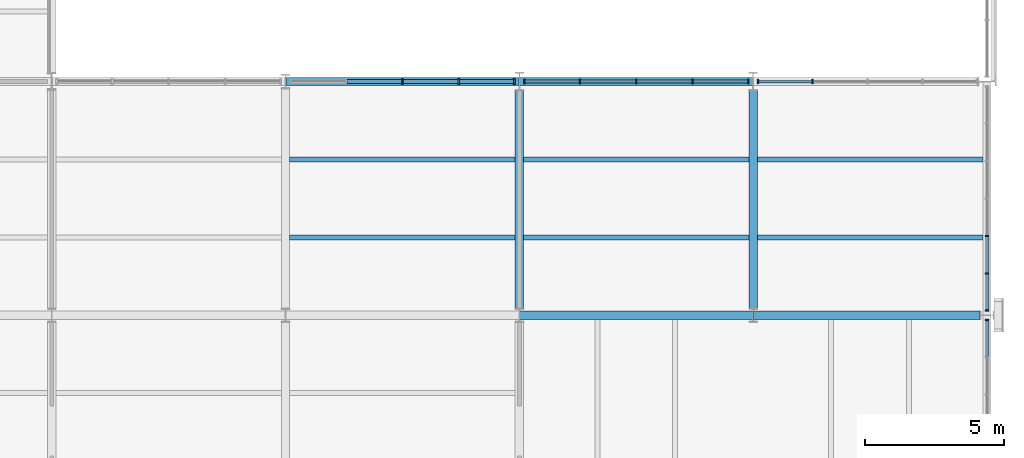
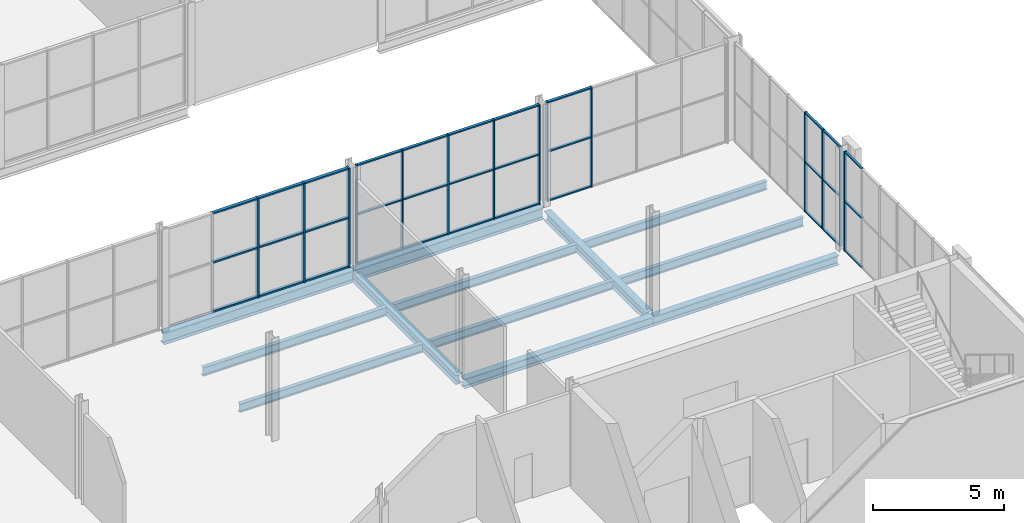
# One storey, part 23 of 61: 47 members, 12 beams, 5 elements without a shape of their own.
"""IFC4 building model written with IfcOpenShell, lengths in metres."""

from ifc_helpers import new_model, si_unit, direction, frame, origin, origin_2d, place, context, subcontext, project, spatial, rectangle, i_section, extrude, material, layer, layer_set, material_profile, profile_set, type_object, element, aggregate, save


model = new_model("IFC4")

# Units and contexts
model_context = context("Model", 3, precision=1e-05, world=origin(), true_north=direction((0.0, 1.0)))
body_context = subcontext(model_context, "Body", "Model", "MODEL_VIEW")
ifc_project = project(units=[si_unit("LENGTHUNIT", "METRE"), si_unit("AREAUNIT", "SQUARE_METRE"), si_unit("VOLUMEUNIT", "CUBIC_METRE"), si_unit("PLANEANGLEUNIT", "RADIAN"), si_unit("MASSUNIT", "GRAM", prefix="KILO")], contexts=[model_context])

# Site, building, storey
site_placement = place(None, origin())
site = spatial("IfcSite", under=ifc_project, at=site_placement, CompositionType="ELEMENT")
building_placement = place(site_placement, origin())
building = spatial("IfcBuilding", under=site, at=building_placement, Name="Galleria Vessillo Department Store", CompositionType="ELEMENT")
storey_placement = place(building_placement, frame((0.0, 0.0, 11.39990234375)))
storey = spatial("IfcBuildingStorey", under=building, at=storey_placement, Name="L02", CompositionType="ELEMENT", Elevation=11.39990234375)

# Curtain wall, member
ifc_material_1 = material(Name="Aluminium and glass curtain wall", Category="aluminium")
ifc_layer_1 = layer(ifc_material_1, 0.1201171875)
ifc_layer_set_1 = layer_set([ifc_layer_1], Name="Aluminium and glass curtain wall")
curtain_wall_type_1 = type_object("IfcCurtainWallType", Name="Shopfront curtain wall CW3 1400 module", PredefinedType="NOTDEFINED", material=ifc_layer_set_1)
curtain_wall_1_placement = place(storey_placement, origin())
curtain_wall_1 = element("IfcCurtainWall", 1, at=curtain_wall_1_placement, inside=storey, type_object=curtain_wall_type_1, Name="Shopfront curtain wall CW3 1400 module SE-S-L02-01", PredefinedType="NOTDEFINED")
ifc_material_2 = material(Name="Aluminium alloy 6063 T6", Category="aluminium")
ifc_material_profile_1 = material_profile(ifc_material_2, rectangle(XDim=0.1201171875, YDim=0.050048828125, at=origin_2d()), Name="AL 50x120")
ifc_profile_set_1 = profile_set([ifc_material_profile_1], Name="Aluminium alloy 6063 T6")
member_type_1 = type_object("IfcMemberType", Name="Aluminium mullion 50 x 120", PredefinedType="MULLION", material=ifc_profile_set_1)
member_1_placement = place(storey_placement, frame((117.60009765625, 16.625244140625, 0.0), z_axis=(0.0, 0.0, 1.0), x_axis=(-1.0, 0.0, 0.0)))
member_1 = element("IfcMember", 2, at=member_1_placement, type_object=member_type_1, Name="CW3 mullion 7", PredefinedType="MULLION", context=body_context, shape_type="SweptSolid", body=[
    extrude(rectangle(XDim=0.1201171875, YDim=0.050048828125, at=origin_2d()), origin(), (0.0, 0.0, 1.0), 4.650146484375),
])

# Curtain wall, members
curtain_wall_2_placement = place(storey_placement, origin())
curtain_wall_2 = element("IfcCurtainWall", 3, at=curtain_wall_2_placement, inside=storey, type_object=curtain_wall_type_1, Name="Shopfront curtain wall CW3 1400 module SE-S-L02-02", PredefinedType="NOTDEFINED")
member_2_placement = place(storey_placement, frame((117.60009765625, 16.974853515625, 0.0), z_axis=(0.0, 0.0, 1.0), x_axis=(-1.0, 0.0, 0.0)))
member_2 = element("IfcMember", 4, at=member_2_placement, type_object=member_type_1, Name="CW3 mullion 1", PredefinedType="MULLION", context=body_context, shape_type="SweptSolid", body=[
    extrude(rectangle(XDim=0.1201171875, YDim=0.050048828125, at=origin_2d()), origin(), (0.0, 0.0, 1.0), 4.650146484375),
])
member_3_placement = place(storey_placement, frame((117.60009765625, 18.299560546875, 0.0), z_axis=(0.0, 0.0, 1.0), x_axis=(-1.0, 0.0, 0.0)))
member_3 = element("IfcMember", 5, at=member_3_placement, type_object=member_type_1, Name="CW3 mullion 2", PredefinedType="MULLION", context=body_context, shape_type="SweptSolid", body=[
    extrude(rectangle(XDim=0.1201171875, YDim=0.050048828125, at=origin_2d()), origin(), (0.0, 0.0, 1.0), 4.650146484375),
])
member_4_placement = place(storey_placement, frame((117.60009765625, 19.649169921875, 0.0), z_axis=(0.0, 0.0, 1.0), x_axis=(-1.0, 0.0, 0.0)))
member_4 = element("IfcMember", 6, at=member_4_placement, type_object=member_type_1, Name="CW3 mullion 3", PredefinedType="MULLION", context=body_context, shape_type="SweptSolid", body=[
    extrude(rectangle(XDim=0.1201171875, YDim=0.050048828125, at=origin_2d()), origin(), (0.0, 0.0, 1.0), 4.650146484375),
])

ifc_material_3 = material(Name="Aluminium and glass curtain wall", Category="aluminium")
ifc_layer_2 = layer(ifc_material_3, 0.159912109375)
ifc_layer_set_2 = layer_set([ifc_layer_2], Name="Aluminium and glass curtain wall")
curtain_wall_type_2 = type_object("IfcCurtainWallType", Name="Arcade portal glazing CW2 2100 module", PredefinedType="NOTDEFINED", material=ifc_layer_set_2)
curtain_wall_3_placement = place(storey_placement, origin())
curtain_wall_3 = element("IfcCurtainWall", 7, at=curtain_wall_3_placement, inside=storey, type_object=curtain_wall_type_2, Name="Arcade portal glazing CW2 2100 module PW-E-S-L02-01", PredefinedType="NOTDEFINED")
ifc_material_4 = material(Name="Aluminium alloy 6063 T6", Category="aluminium")
ifc_material_profile_2 = material_profile(ifc_material_4, rectangle(XDim=0.159912109375, YDim=0.050048828125, at=origin_2d()), Name="AL 50x160")
ifc_profile_set_2 = profile_set([ifc_material_profile_2], Name="Aluminium alloy 6063 T6")
member_type_2 = type_object("IfcMemberType", Name="Aluminium mullion 50 x 160", PredefinedType="MULLION", material=ifc_profile_set_2)
member_5_placement = place(storey_placement, frame((100.9775390625, 25.199951171875, 0.0), z_axis=(0.0, 0.0, 1.0), x_axis=(0.0, 1.0, 0.0)))
member_5 = element("IfcMember", 8, at=member_5_placement, type_object=member_type_2, Name="CW2 mullion 1", PredefinedType="MULLION", context=body_context, shape_type="SweptSolid", body=[
    extrude(rectangle(XDim=0.159912109375, YDim=0.050048828125, at=origin_2d()), origin(), (0.0, 0.0, 1.0), 4.650146484375),
])
member_6_placement = place(storey_placement, frame((102.976318359375, 25.199951171875, 0.0), z_axis=(0.0, 0.0, 1.0), x_axis=(0.0, 1.0, 0.0)))
member_6 = element("IfcMember", 9, at=member_6_placement, type_object=member_type_2, Name="CW2 mullion 2", PredefinedType="MULLION", context=body_context, shape_type="SweptSolid", body=[
    extrude(rectangle(XDim=0.159912109375, YDim=0.050048828125, at=origin_2d()), origin(), (0.0, 0.0, 1.0), 4.650146484375),
])
member_7_placement = place(storey_placement, frame((105.0, 25.199951171875, 0.0), z_axis=(0.0, 0.0, 1.0), x_axis=(0.0, 1.0, 0.0)))
member_7 = element("IfcMember", 10, at=member_7_placement, type_object=member_type_2, Name="CW2 mullion 3", PredefinedType="MULLION", context=body_context, shape_type="SweptSolid", body=[
    extrude(rectangle(XDim=0.159912109375, YDim=0.050048828125, at=origin_2d()), origin(), (0.0, 0.0, 1.0), 4.650146484375),
])
member_8_placement = place(storey_placement, frame((107.023681640625, 25.199951171875, 0.0), z_axis=(0.0, 0.0, 1.0), x_axis=(0.0, 1.0, 0.0)))
member_8 = element("IfcMember", 11, at=member_8_placement, type_object=member_type_2, Name="CW2 mullion 4", PredefinedType="MULLION", context=body_context, shape_type="SweptSolid", body=[
    extrude(rectangle(XDim=0.159912109375, YDim=0.050048828125, at=origin_2d()), origin(), (0.0, 0.0, 1.0), 4.650146484375),
])
member_9_placement = place(storey_placement, frame((109.0224609375, 25.199951171875, 0.0), z_axis=(0.0, 0.0, 1.0), x_axis=(0.0, 1.0, 0.0)))
member_9 = element("IfcMember", 12, at=member_9_placement, type_object=member_type_2, Name="CW2 mullion 5", PredefinedType="MULLION", context=body_context, shape_type="SweptSolid", body=[
    extrude(rectangle(XDim=0.159912109375, YDim=0.050048828125, at=origin_2d()), origin(), (0.0, 0.0, 1.0), 4.650146484375),
])

curtain_wall_4_placement = place(storey_placement, origin())
curtain_wall_4 = element("IfcCurtainWall", 13, at=curtain_wall_4_placement, inside=storey, type_object=curtain_wall_type_2, Name="Arcade portal glazing CW2 2100 module PW-E-S-L02-02", PredefinedType="NOTDEFINED")
member_10_placement = place(storey_placement, frame((109.37744140625, 25.199951171875, 0.0), z_axis=(0.0, 0.0, 1.0), x_axis=(0.0, 1.0, 0.0)))
member_10 = element("IfcMember", 14, at=member_10_placement, type_object=member_type_2, Name="CW2 mullion 1", PredefinedType="MULLION", context=body_context, shape_type="SweptSolid", body=[
    extrude(rectangle(XDim=0.159912109375, YDim=0.050048828125, at=origin_2d()), origin(), (0.0, 0.0, 1.0), 4.650146484375),
])
member_11_placement = place(storey_placement, frame((111.330810546875, 25.199951171875, 0.0), z_axis=(0.0, 0.0, 1.0), x_axis=(0.0, 1.0, 0.0)))
member_11 = element("IfcMember", 15, at=member_11_placement, type_object=member_type_2, Name="CW2 mullion 2", PredefinedType="MULLION", context=body_context, shape_type="SweptSolid", body=[
    extrude(rectangle(XDim=0.159912109375, YDim=0.050048828125, at=origin_2d()), origin(), (0.0, 0.0, 1.0), 4.650146484375),
])

ifc_material_5 = material(Name="Aluminium and glass curtain wall", Category="aluminium")
ifc_layer_3 = layer(ifc_material_5, 0.199951171875)
ifc_layer_set_3 = layer_set([ifc_layer_3], Name="Aluminium and glass curtain wall")
curtain_wall_type_3 = type_object("IfcCurtainWallType", Name="Arcade curtain wall CW1 2100 module", PredefinedType="NOTDEFINED", material=ifc_layer_set_3)
curtain_wall_5_placement = place(storey_placement, origin())
curtain_wall_5 = element("IfcCurtainWall", 16, at=curtain_wall_5_placement, inside=storey, type_object=curtain_wall_type_3, Name="Arcade curtain wall CW1 2100 module AI-AE-S-L02-02", PredefinedType="NOTDEFINED")
ifc_material_6 = material(Name="Aluminium alloy 6063 T6", Category="aluminium")
ifc_material_profile_3 = material_profile(ifc_material_6, rectangle(XDim=0.199951171875, YDim=0.06005859375, at=origin_2d()), Name="AL 60x200")
ifc_profile_set_3 = profile_set([ifc_material_profile_3], Name="Aluminium alloy 6063 T6")
member_type_3 = type_object("IfcMemberType", Name="Aluminium mullion 60 x 200", PredefinedType="MULLION", material=ifc_profile_set_3)
member_12_placement = place(storey_placement, frame((96.600341796875, 25.199951171875, 0.0), z_axis=(0.0, 0.0, 1.0), x_axis=(0.0, 1.0, 0.0)))
member_12 = element("IfcMember", 17, at=member_12_placement, type_object=member_type_3, Name="CW1 mullion 3", PredefinedType="MULLION", context=body_context, shape_type="SweptSolid", body=[
    extrude(rectangle(XDim=0.199951171875, YDim=0.06005859375, at=origin_2d()), origin(), (0.0, 0.0, 1.0), 4.650146484375),
])
member_13_placement = place(storey_placement, frame((98.623779296875, 25.199951171875, 0.0), z_axis=(0.0, 0.0, 1.0), x_axis=(0.0, 1.0, 0.0)))
member_13 = element("IfcMember", 18, at=member_13_placement, type_object=member_type_3, Name="CW1 mullion 4", PredefinedType="MULLION", context=body_context, shape_type="SweptSolid", body=[
    extrude(rectangle(XDim=0.199951171875, YDim=0.06005859375, at=origin_2d()), origin(), (0.0, 0.0, 1.0), 4.650146484375),
])
member_14_placement = place(storey_placement, frame((100.617431640625, 25.199951171875, 0.0), z_axis=(0.0, 0.0, 1.0), x_axis=(0.0, 1.0, 0.0)))
member_14 = element("IfcMember", 19, at=member_14_placement, type_object=member_type_3, Name="CW1 mullion 5", PredefinedType="MULLION", context=body_context, shape_type="SweptSolid", body=[
    extrude(rectangle(XDim=0.199951171875, YDim=0.06005859375, at=origin_2d()), origin(), (0.0, 0.0, 1.0), 4.650146484375),
])

# Member
ifc_material_7 = material(Name="Aluminium alloy 6063 T6", Category="aluminium")
ifc_material_profile_4 = material_profile(ifc_material_7, rectangle(XDim=0.10009765625, YDim=0.050048828125, at=origin_2d()), Name="AL 50x100")
ifc_profile_set_4 = profile_set([ifc_material_profile_4], Name="Aluminium alloy 6063 T6")
member_type_4 = type_object("IfcMemberType", Name="Aluminium transom 50 x 100", PredefinedType="USERDEFINED", material=ifc_profile_set_4)
member_15_placement = place(storey_placement, frame((117.60009765625, 15.3251953125, 0.02490234375), z_axis=(0.0, 1.0, 0.0), x_axis=(-1.0, 0.0, 0.0)))
member_15 = element("IfcMember", 20, at=member_15_placement, type_object=member_type_4, Name="CW3 transom 6.1", ObjectType="TRANSOM", PredefinedType="USERDEFINED", context=body_context, shape_type="SweptSolid", body=[
    extrude(rectangle(XDim=0.10009765625, YDim=0.050048828125, at=origin_2d()), origin(), (0.0, 0.0, 1.0), 1.27490234375),
])

member_16_placement = place(storey_placement, frame((117.60009765625, 15.3251953125, 2.3251953125), z_axis=(0.0, 1.0, 0.0), x_axis=(-1.0, 0.0, 0.0)))
member_16 = element("IfcMember", 21, at=member_16_placement, type_object=member_type_4, Name="CW3 transom 6.2", ObjectType="TRANSOM", PredefinedType="USERDEFINED", context=body_context, shape_type="SweptSolid", body=[
    extrude(rectangle(XDim=0.10009765625, YDim=0.050048828125, at=origin_2d()), origin(), (0.0, 0.0, 1.0), 1.27490234375),
])

member_17_placement = place(storey_placement, frame((117.60009765625, 15.3251953125, 4.625244140625), z_axis=(0.0, 1.0, 0.0), x_axis=(-1.0, 0.0, 0.0)))
member_17 = element("IfcMember", 22, at=member_17_placement, type_object=member_type_4, Name="CW3 transom 6.3", ObjectType="TRANSOM", PredefinedType="USERDEFINED", context=body_context, shape_type="SweptSolid", body=[
    extrude(rectangle(XDim=0.10009765625, YDim=0.050048828125, at=origin_2d()), origin(), (0.0, 0.0, 1.0), 1.27490234375),
])

aggregate(curtain_wall_1, [member_1, member_15, member_16, member_17])

member_18_placement = place(storey_placement, frame((117.60009765625, 17.0, 0.02490234375), z_axis=(0.0, 1.0, 0.0), x_axis=(-1.0, 0.0, 0.0)))
member_18 = element("IfcMember", 23, at=member_18_placement, type_object=member_type_4, Name="CW3 transom 1.1", ObjectType="TRANSOM", PredefinedType="USERDEFINED", context=body_context, shape_type="SweptSolid", body=[
    extrude(rectangle(XDim=0.10009765625, YDim=0.050048828125, at=origin_2d()), origin(), (0.0, 0.0, 1.0), 1.2744140625),
])

member_19_placement = place(storey_placement, frame((117.60009765625, 17.0, 2.3251953125), z_axis=(0.0, 1.0, 0.0), x_axis=(-1.0, 0.0, 0.0)))
member_19 = element("IfcMember", 24, at=member_19_placement, type_object=member_type_4, Name="CW3 transom 1.2", ObjectType="TRANSOM", PredefinedType="USERDEFINED", context=body_context, shape_type="SweptSolid", body=[
    extrude(rectangle(XDim=0.10009765625, YDim=0.050048828125, at=origin_2d()), origin(), (0.0, 0.0, 1.0), 1.2744140625),
])

member_20_placement = place(storey_placement, frame((117.60009765625, 17.0, 4.625244140625), z_axis=(0.0, 1.0, 0.0), x_axis=(-1.0, 0.0, 0.0)))
member_20 = element("IfcMember", 25, at=member_20_placement, type_object=member_type_4, Name="CW3 transom 1.3", ObjectType="TRANSOM", PredefinedType="USERDEFINED", context=body_context, shape_type="SweptSolid", body=[
    extrude(rectangle(XDim=0.10009765625, YDim=0.050048828125, at=origin_2d()), origin(), (0.0, 0.0, 1.0), 1.2744140625),
])

member_21_placement = place(storey_placement, frame((117.60009765625, 18.324462890625, 0.02490234375), z_axis=(0.0, 1.0, 0.0), x_axis=(-1.0, 0.0, 0.0)))
member_21 = element("IfcMember", 26, at=member_21_placement, type_object=member_type_4, Name="CW3 transom 2.1", ObjectType="TRANSOM", PredefinedType="USERDEFINED", context=body_context, shape_type="SweptSolid", body=[
    extrude(rectangle(XDim=0.10009765625, YDim=0.050048828125, at=origin_2d()), origin(), (0.0, 0.0, 1.0), 1.299560546875),
])

member_22_placement = place(storey_placement, frame((117.60009765625, 18.324462890625, 2.3251953125), z_axis=(0.0, 1.0, 0.0), x_axis=(-1.0, 0.0, 0.0)))
member_22 = element("IfcMember", 27, at=member_22_placement, type_object=member_type_4, Name="CW3 transom 2.2", ObjectType="TRANSOM", PredefinedType="USERDEFINED", context=body_context, shape_type="SweptSolid", body=[
    extrude(rectangle(XDim=0.10009765625, YDim=0.050048828125, at=origin_2d()), origin(), (0.0, 0.0, 1.0), 1.299560546875),
])

member_23_placement = place(storey_placement, frame((117.60009765625, 18.324462890625, 4.625244140625), z_axis=(0.0, 1.0, 0.0), x_axis=(-1.0, 0.0, 0.0)))
member_23 = element("IfcMember", 28, at=member_23_placement, type_object=member_type_4, Name="CW3 transom 2.3", ObjectType="TRANSOM", PredefinedType="USERDEFINED", context=body_context, shape_type="SweptSolid", body=[
    extrude(rectangle(XDim=0.10009765625, YDim=0.050048828125, at=origin_2d()), origin(), (0.0, 0.0, 1.0), 1.299560546875),
])

aggregate(curtain_wall_2, [member_2, member_3, member_4, member_18, member_19, member_20, member_21, member_22, member_23])

ifc_material_8 = material(Name="Aluminium alloy 6063 T6", Category="aluminium")
ifc_material_profile_5 = material_profile(ifc_material_8, rectangle(XDim=0.1201171875, YDim=0.06005859375, at=origin_2d()), Name="AL 60x120")
ifc_profile_set_5 = profile_set([ifc_material_profile_5], Name="Aluminium alloy 6063 T6")
member_type_5 = type_object("IfcMemberType", Name="Aluminium transom 60 x 120", PredefinedType="USERDEFINED", material=ifc_profile_set_5)
member_24_placement = place(storey_placement, frame((101.002685546875, 25.199951171875, 0.030029296875), z_axis=(1.0, 0.0, 0.0), x_axis=(0.0, 1.0, 0.0)))
member_24 = element("IfcMember", 29, at=member_24_placement, type_object=member_type_5, Name="CW2 transom 1.1", ObjectType="TRANSOM", PredefinedType="USERDEFINED", context=body_context, shape_type="SweptSolid", body=[
    extrude(rectangle(XDim=0.1201171875, YDim=0.06005859375, at=origin_2d()), origin(), (0.0, 0.0, 1.0), 1.94873046875),
])

member_25_placement = place(storey_placement, frame((101.002685546875, 25.199951171875, 2.3251953125), z_axis=(1.0, 0.0, 0.0), x_axis=(0.0, 1.0, 0.0)))
member_25 = element("IfcMember", 30, at=member_25_placement, type_object=member_type_5, Name="CW2 transom 1.2", ObjectType="TRANSOM", PredefinedType="USERDEFINED", context=body_context, shape_type="SweptSolid", body=[
    extrude(rectangle(XDim=0.1201171875, YDim=0.06005859375, at=origin_2d()), origin(), (0.0, 0.0, 1.0), 1.94873046875),
])

member_26_placement = place(storey_placement, frame((101.002685546875, 25.199951171875, 4.6201171875), z_axis=(1.0, 0.0, 0.0), x_axis=(0.0, 1.0, 0.0)))
member_26 = element("IfcMember", 31, at=member_26_placement, type_object=member_type_5, Name="CW2 transom 1.3", ObjectType="TRANSOM", PredefinedType="USERDEFINED", context=body_context, shape_type="SweptSolid", body=[
    extrude(rectangle(XDim=0.1201171875, YDim=0.06005859375, at=origin_2d()), origin(), (0.0, 0.0, 1.0), 1.94873046875),
])

member_27_placement = place(storey_placement, frame((103.001220703125, 25.199951171875, 0.030029296875), z_axis=(1.0, 0.0, 0.0), x_axis=(0.0, 1.0, 0.0)))
member_27 = element("IfcMember", 32, at=member_27_placement, type_object=member_type_5, Name="CW2 transom 2.1", ObjectType="TRANSOM", PredefinedType="USERDEFINED", context=body_context, shape_type="SweptSolid", body=[
    extrude(rectangle(XDim=0.1201171875, YDim=0.06005859375, at=origin_2d()), origin(), (0.0, 0.0, 1.0), 1.973876953125),
])

member_28_placement = place(storey_placement, frame((103.001220703125, 25.199951171875, 2.3251953125), z_axis=(1.0, 0.0, 0.0), x_axis=(0.0, 1.0, 0.0)))
member_28 = element("IfcMember", 33, at=member_28_placement, type_object=member_type_5, Name="CW2 transom 2.2", ObjectType="TRANSOM", PredefinedType="USERDEFINED", context=body_context, shape_type="SweptSolid", body=[
    extrude(rectangle(XDim=0.1201171875, YDim=0.06005859375, at=origin_2d()), origin(), (0.0, 0.0, 1.0), 1.973876953125),
])

member_29_placement = place(storey_placement, frame((103.001220703125, 25.199951171875, 4.6201171875), z_axis=(1.0, 0.0, 0.0), x_axis=(0.0, 1.0, 0.0)))
member_29 = element("IfcMember", 34, at=member_29_placement, type_object=member_type_5, Name="CW2 transom 2.3", ObjectType="TRANSOM", PredefinedType="USERDEFINED", context=body_context, shape_type="SweptSolid", body=[
    extrude(rectangle(XDim=0.1201171875, YDim=0.06005859375, at=origin_2d()), origin(), (0.0, 0.0, 1.0), 1.973876953125),
])

member_30_placement = place(storey_placement, frame((105.02490234375, 25.199951171875, 0.030029296875), z_axis=(1.0, 0.0, 0.0), x_axis=(0.0, 1.0, 0.0)))
member_30 = element("IfcMember", 35, at=member_30_placement, type_object=member_type_5, Name="CW2 transom 3.1", ObjectType="TRANSOM", PredefinedType="USERDEFINED", context=body_context, shape_type="SweptSolid", body=[
    extrude(rectangle(XDim=0.1201171875, YDim=0.06005859375, at=origin_2d()), origin(), (0.0, 0.0, 1.0), 1.973876953125),
])

member_31_placement = place(storey_placement, frame((105.02490234375, 25.199951171875, 2.3251953125), z_axis=(1.0, 0.0, 0.0), x_axis=(0.0, 1.0, 0.0)))
member_31 = element("IfcMember", 36, at=member_31_placement, type_object=member_type_5, Name="CW2 transom 3.2", ObjectType="TRANSOM", PredefinedType="USERDEFINED", context=body_context, shape_type="SweptSolid", body=[
    extrude(rectangle(XDim=0.1201171875, YDim=0.06005859375, at=origin_2d()), origin(), (0.0, 0.0, 1.0), 1.973876953125),
])

member_32_placement = place(storey_placement, frame((105.02490234375, 25.199951171875, 4.6201171875), z_axis=(1.0, 0.0, 0.0), x_axis=(0.0, 1.0, 0.0)))
member_32 = element("IfcMember", 37, at=member_32_placement, type_object=member_type_5, Name="CW2 transom 3.3", ObjectType="TRANSOM", PredefinedType="USERDEFINED", context=body_context, shape_type="SweptSolid", body=[
    extrude(rectangle(XDim=0.1201171875, YDim=0.06005859375, at=origin_2d()), origin(), (0.0, 0.0, 1.0), 1.973876953125),
])

member_33_placement = place(storey_placement, frame((107.048583984375, 25.199951171875, 0.030029296875), z_axis=(1.0, 0.0, 0.0), x_axis=(0.0, 1.0, 0.0)))
member_33 = element("IfcMember", 38, at=member_33_placement, type_object=member_type_5, Name="CW2 transom 4.1", ObjectType="TRANSOM", PredefinedType="USERDEFINED", context=body_context, shape_type="SweptSolid", body=[
    extrude(rectangle(XDim=0.1201171875, YDim=0.06005859375, at=origin_2d()), origin(), (0.0, 0.0, 1.0), 1.94873046875),
])

member_34_placement = place(storey_placement, frame((107.048583984375, 25.199951171875, 2.3251953125), z_axis=(1.0, 0.0, 0.0), x_axis=(0.0, 1.0, 0.0)))
member_34 = element("IfcMember", 39, at=member_34_placement, type_object=member_type_5, Name="CW2 transom 4.2", ObjectType="TRANSOM", PredefinedType="USERDEFINED", context=body_context, shape_type="SweptSolid", body=[
    extrude(rectangle(XDim=0.1201171875, YDim=0.06005859375, at=origin_2d()), origin(), (0.0, 0.0, 1.0), 1.94873046875),
])

member_35_placement = place(storey_placement, frame((107.048583984375, 25.199951171875, 4.6201171875), z_axis=(1.0, 0.0, 0.0), x_axis=(0.0, 1.0, 0.0)))
member_35 = element("IfcMember", 40, at=member_35_placement, type_object=member_type_5, Name="CW2 transom 4.3", ObjectType="TRANSOM", PredefinedType="USERDEFINED", context=body_context, shape_type="SweptSolid", body=[
    extrude(rectangle(XDim=0.1201171875, YDim=0.06005859375, at=origin_2d()), origin(), (0.0, 0.0, 1.0), 1.94873046875),
])

aggregate(curtain_wall_3, [member_5, member_6, member_7, member_8, member_9, member_24, member_25, member_26, member_27, member_28, member_29, member_30, member_31, member_32, member_33, member_34, member_35])

member_36_placement = place(storey_placement, frame((109.402587890625, 25.199951171875, 0.030029296875), z_axis=(1.0, 0.0, 0.0), x_axis=(0.0, 1.0, 0.0)))
member_36 = element("IfcMember", 41, at=member_36_placement, type_object=member_type_5, Name="CW2 transom 1.1", ObjectType="TRANSOM", PredefinedType="USERDEFINED", context=body_context, shape_type="SweptSolid", body=[
    extrude(rectangle(XDim=0.1201171875, YDim=0.06005859375, at=origin_2d()), origin(), (0.0, 0.0, 1.0), 1.9033203125),
])

member_37_placement = place(storey_placement, frame((109.402587890625, 25.199951171875, 2.3251953125), z_axis=(1.0, 0.0, 0.0), x_axis=(0.0, 1.0, 0.0)))
member_37 = element("IfcMember", 42, at=member_37_placement, type_object=member_type_5, Name="CW2 transom 1.2", ObjectType="TRANSOM", PredefinedType="USERDEFINED", context=body_context, shape_type="SweptSolid", body=[
    extrude(rectangle(XDim=0.1201171875, YDim=0.06005859375, at=origin_2d()), origin(), (0.0, 0.0, 1.0), 1.9033203125),
])

member_38_placement = place(storey_placement, frame((109.402587890625, 25.199951171875, 4.6201171875), z_axis=(1.0, 0.0, 0.0), x_axis=(0.0, 1.0, 0.0)))
member_38 = element("IfcMember", 43, at=member_38_placement, type_object=member_type_5, Name="CW2 transom 1.3", ObjectType="TRANSOM", PredefinedType="USERDEFINED", context=body_context, shape_type="SweptSolid", body=[
    extrude(rectangle(XDim=0.1201171875, YDim=0.06005859375, at=origin_2d()), origin(), (0.0, 0.0, 1.0), 1.9033203125),
])

aggregate(curtain_wall_4, [member_10, member_11, member_36, member_37, member_38])

ifc_material_9 = material(Name="Aluminium alloy 6063 T6", Category="aluminium")
ifc_material_profile_6 = material_profile(ifc_material_9, rectangle(XDim=0.139892578125, YDim=0.070068359375, at=origin_2d()), Name="AL 70x140")
ifc_profile_set_6 = profile_set([ifc_material_profile_6], Name="Aluminium alloy 6063 T6")
member_type_6 = type_object("IfcMemberType", Name="Aluminium transom 70 x 140", PredefinedType="USERDEFINED", material=ifc_profile_set_6)
member_39_placement = place(storey_placement, frame((94.606689453125, 25.199951171875, 0.034912109375), z_axis=(1.0, 0.0, 0.0), x_axis=(0.0, 1.0, 0.0)))
member_39 = element("IfcMember", 44, at=member_39_placement, type_object=member_type_6, Name="CW1 transom 2.1", ObjectType="TRANSOM", PredefinedType="USERDEFINED", context=body_context, shape_type="SweptSolid", body=[
    extrude(rectangle(XDim=0.139892578125, YDim=0.070068359375, at=origin_2d()), origin(), (0.0, 0.0, 1.0), 1.963623046875),
])

member_40_placement = place(storey_placement, frame((94.606689453125, 25.199951171875, 2.3251953125), z_axis=(1.0, 0.0, 0.0), x_axis=(0.0, 1.0, 0.0)))
member_40 = element("IfcMember", 45, at=member_40_placement, type_object=member_type_6, Name="CW1 transom 2.2", ObjectType="TRANSOM", PredefinedType="USERDEFINED", context=body_context, shape_type="SweptSolid", body=[
    extrude(rectangle(XDim=0.139892578125, YDim=0.070068359375, at=origin_2d()), origin(), (0.0, 0.0, 1.0), 1.963623046875),
])

member_41_placement = place(storey_placement, frame((94.606689453125, 25.199951171875, 4.615234375), z_axis=(1.0, 0.0, 0.0), x_axis=(0.0, 1.0, 0.0)))
member_41 = element("IfcMember", 46, at=member_41_placement, type_object=member_type_6, Name="CW1 transom 2.3", ObjectType="TRANSOM", PredefinedType="USERDEFINED", context=body_context, shape_type="SweptSolid", body=[
    extrude(rectangle(XDim=0.139892578125, YDim=0.070068359375, at=origin_2d()), origin(), (0.0, 0.0, 1.0), 1.963623046875),
])

member_42_placement = place(storey_placement, frame((96.630126953125, 25.199951171875, 0.034912109375), z_axis=(1.0, 0.0, 0.0), x_axis=(0.0, 1.0, 0.0)))
member_42 = element("IfcMember", 47, at=member_42_placement, type_object=member_type_6, Name="CW1 transom 3.1", ObjectType="TRANSOM", PredefinedType="USERDEFINED", context=body_context, shape_type="SweptSolid", body=[
    extrude(rectangle(XDim=0.139892578125, YDim=0.070068359375, at=origin_2d()), origin(), (0.0, 0.0, 1.0), 1.963623046875),
])

member_43_placement = place(storey_placement, frame((96.630126953125, 25.199951171875, 2.3251953125), z_axis=(1.0, 0.0, 0.0), x_axis=(0.0, 1.0, 0.0)))
member_43 = element("IfcMember", 48, at=member_43_placement, type_object=member_type_6, Name="CW1 transom 3.2", ObjectType="TRANSOM", PredefinedType="USERDEFINED", context=body_context, shape_type="SweptSolid", body=[
    extrude(rectangle(XDim=0.139892578125, YDim=0.070068359375, at=origin_2d()), origin(), (0.0, 0.0, 1.0), 1.963623046875),
])

member_44_placement = place(storey_placement, frame((96.630126953125, 25.199951171875, 4.615234375), z_axis=(1.0, 0.0, 0.0), x_axis=(0.0, 1.0, 0.0)))
member_44 = element("IfcMember", 49, at=member_44_placement, type_object=member_type_6, Name="CW1 transom 3.3", ObjectType="TRANSOM", PredefinedType="USERDEFINED", context=body_context, shape_type="SweptSolid", body=[
    extrude(rectangle(XDim=0.139892578125, YDim=0.070068359375, at=origin_2d()), origin(), (0.0, 0.0, 1.0), 1.963623046875),
])

member_45_placement = place(storey_placement, frame((98.65380859375, 25.199951171875, 0.034912109375), z_axis=(1.0, 0.0, 0.0), x_axis=(0.0, 1.0, 0.0)))
member_45 = element("IfcMember", 50, at=member_45_placement, type_object=member_type_6, Name="CW1 transom 4.1", ObjectType="TRANSOM", PredefinedType="USERDEFINED", context=body_context, shape_type="SweptSolid", body=[
    extrude(rectangle(XDim=0.139892578125, YDim=0.070068359375, at=origin_2d()), origin(), (0.0, 0.0, 1.0), 1.93359375),
])

member_46_placement = place(storey_placement, frame((98.65380859375, 25.199951171875, 2.3251953125), z_axis=(1.0, 0.0, 0.0), x_axis=(0.0, 1.0, 0.0)))
member_46 = element("IfcMember", 51, at=member_46_placement, type_object=member_type_6, Name="CW1 transom 4.2", ObjectType="TRANSOM", PredefinedType="USERDEFINED", context=body_context, shape_type="SweptSolid", body=[
    extrude(rectangle(XDim=0.139892578125, YDim=0.070068359375, at=origin_2d()), origin(), (0.0, 0.0, 1.0), 1.93359375),
])

member_47_placement = place(storey_placement, frame((98.65380859375, 25.199951171875, 4.615234375), z_axis=(1.0, 0.0, 0.0), x_axis=(0.0, 1.0, 0.0)))
member_47 = element("IfcMember", 52, at=member_47_placement, type_object=member_type_6, Name="CW1 transom 4.3", ObjectType="TRANSOM", PredefinedType="USERDEFINED", context=body_context, shape_type="SweptSolid", body=[
    extrude(rectangle(XDim=0.139892578125, YDim=0.070068359375, at=origin_2d()), origin(), (0.0, 0.0, 1.0), 1.93359375),
])

aggregate(curtain_wall_5, [member_12, member_13, member_14, member_39, member_40, member_41, member_42, member_43, member_44, member_45, member_46, member_47])

# Beams
ifc_material_10 = material(Name="Steel S355 J2", Category="steel")
ifc_material_profile_7 = material_profile(ifc_material_10, i_section(OverallWidth=0.300048828125, OverallDepth=0.43994140625, WebThickness=0.011474609375, FlangeThickness=0.02099609375, FilletRadius=0.027099609375, at=origin_2d()), Name="HEA 450")
ifc_profile_set_7 = profile_set([ifc_material_profile_7], Name="Steel S355 J2")
beam_type_1 = type_object("IfcBeamType", Name="Floor girder HEA 450", PredefinedType="BEAM", material=ifc_profile_set_7)
beam_1_placement = place(storey_placement, frame((100.807373046875, 16.800048828125, -0.369873046875), z_axis=(1.0, 0.0, 0.0), x_axis=(0.0, 1.0, 0.0)))
element("IfcBeam", 53, at=beam_1_placement, inside=storey, type_object=beam_type_1, Name="S-BM-L02-GI-x16800-100807", PredefinedType="BEAM", context=body_context, shape_type="SweptSolid", body=[
    extrude(i_section(OverallWidth=0.300048828125, OverallDepth=0.43994140625, WebThickness=0.011474609375, FlangeThickness=0.02099609375, FilletRadius=0.027099609375, at=origin_2d()), origin(), (0.0, 0.0, 1.0), 8.38525390625),
])
beam_2_placement = place(storey_placement, frame((109.207275390625, 16.800048828125, -0.369873046875), z_axis=(1.0, 0.0, 0.0), x_axis=(0.0, 1.0, 0.0)))
element("IfcBeam", 54, at=beam_2_placement, inside=storey, type_object=beam_type_1, Name="S-BM-L02-GI-x16800-109207", PredefinedType="BEAM", context=body_context, shape_type="SweptSolid", body=[
    extrude(i_section(OverallWidth=0.300048828125, OverallDepth=0.43994140625, WebThickness=0.011474609375, FlangeThickness=0.02099609375, FilletRadius=0.027099609375, at=origin_2d()), origin(), (0.0, 0.0, 1.0), 8.142578125),
])
for number, where, z_axis, x_axis, name in (
    (55, (100.800048828125, 17.050048828125, -0.369873046875), (0.0, 1.0, 0.0), (-1.0, 0.0, 0.0), "S-BM-L02-GI-y100800-17050"),
    (56, (109.199951171875, 17.050048828125, -0.369873046875), (0.0, 1.0, 0.0), (-1.0, 0.0, 0.0), "S-BM-L02-GI-y109200-17050"),
):
    element("IfcBeam", number, at=place(storey_placement, frame(where, z_axis=z_axis, x_axis=x_axis)), inside=storey, type_object=beam_type_1, Name=name, PredefinedType="BEAM", context=body_context, shape_type="SweptSolid", body=[
        extrude(i_section(OverallWidth=0.300048828125, OverallDepth=0.43994140625, WebThickness=0.011474609375, FlangeThickness=0.02099609375, FilletRadius=0.027099609375, at=origin_2d()), origin(), (0.0, 0.0, 1.0), 7.81591796875),
    ])
ifc_material_11 = material(Name="Steel S355 J2", Category="steel")
ifc_material_profile_8 = material_profile(ifc_material_11, i_section(OverallWidth=0.179931640625, OverallDepth=0.39990234375, WebThickness=0.008544921875, FlangeThickness=0.013427734375, FilletRadius=0.02099609375, at=origin_2d()), Name="IPE 400")
ifc_profile_set_8 = profile_set([ifc_material_profile_8], Name="Steel S355 J2")
beam_type_2 = type_object("IfcBeamType", Name="Floor joist IPE 400", PredefinedType="JOIST", material=ifc_profile_set_8)
for number, where, z_axis, x_axis, name in (
    (57, (92.550048828125, 19.60009765625, -0.349853515625), (1.0, 0.0, 0.0), (0.0, 1.0, 0.0), "S-BM-L02-JO-x19600-92550"),
    (58, (92.550048828125, 22.39990234375, -0.349853515625), (1.0, 0.0, 0.0), (0.0, 1.0, 0.0), "S-BM-L02-JO-x22400-92550"),
):
    element("IfcBeam", number, at=place(storey_placement, frame(where, z_axis=z_axis, x_axis=x_axis)), inside=storey, type_object=beam_type_2, Name=name, PredefinedType="JOIST", context=body_context, shape_type="SweptSolid", body=[
        extrude(i_section(OverallWidth=0.179931640625, OverallDepth=0.39990234375, WebThickness=0.008544921875, FlangeThickness=0.013427734375, FilletRadius=0.02099609375, at=origin_2d()), origin(), (0.0, 0.0, 1.0), 8.099853515625),
    ])
for number, where, z_axis, x_axis, name in (
    (59, (100.9501953125, 19.60009765625, -0.349853515625), (1.0, 0.0, 0.0), (0.0, 1.0, 0.0), "S-BM-L02-JO-x19600-100950"),
    (60, (100.9501953125, 22.39990234375, -0.349853515625), (1.0, 0.0, 0.0), (0.0, 1.0, 0.0), "S-BM-L02-JO-x22400-100950"),
):
    element("IfcBeam", number, at=place(storey_placement, frame(where, z_axis=z_axis, x_axis=x_axis)), inside=storey, type_object=beam_type_2, Name=name, PredefinedType="JOIST", context=body_context, shape_type="SweptSolid", body=[
        extrude(i_section(OverallWidth=0.179931640625, OverallDepth=0.39990234375, WebThickness=0.008544921875, FlangeThickness=0.013427734375, FilletRadius=0.02099609375, at=origin_2d()), origin(), (0.0, 0.0, 1.0), 8.099609375),
    ])
for number, where, z_axis, x_axis, name in (
    (61, (109.35009765625, 19.60009765625, -0.349853515625), (1.0, 0.0, 0.0), (0.0, 1.0, 0.0), "S-BM-L02-JO-x19600-109350"),
    (62, (109.35009765625, 22.39990234375, -0.349853515625), (1.0, 0.0, 0.0), (0.0, 1.0, 0.0), "S-BM-L02-JO-x22400-109350"),
):
    element("IfcBeam", number, at=place(storey_placement, frame(where, z_axis=z_axis, x_axis=x_axis)), inside=storey, type_object=beam_type_2, Name=name, PredefinedType="JOIST", context=body_context, shape_type="SweptSolid", body=[
        extrude(i_section(OverallWidth=0.179931640625, OverallDepth=0.39990234375, WebThickness=0.008544921875, FlangeThickness=0.013427734375, FilletRadius=0.02099609375, at=origin_2d()), origin(), (0.0, 0.0, 1.0), 8.099853515625),
    ])
ifc_material_12 = material(Name="Steel S355 J2", Category="steel")
ifc_material_profile_9 = material_profile(ifc_material_12, i_section(OverallWidth=0.300048828125, OverallDepth=0.5400390625, WebThickness=0.012451171875, FlangeThickness=0.02392578125, FilletRadius=0.027099609375, at=origin_2d()), Name="HEA 550")
ifc_profile_set_9 = profile_set([ifc_material_profile_9], Name="Steel S355 J2")
beam_type_3 = type_object("IfcBeamType", Name="Trimmer beam HEA 550", PredefinedType="BEAM", material=ifc_profile_set_9)
beam_3_placement = place(storey_placement, frame((92.41064453125, 25.199951171875, -0.419921875), z_axis=(1.0, 0.0, 0.0), x_axis=(0.0, 1.0, 0.0)))
element("IfcBeam", 63, at=beam_3_placement, inside=storey, type_object=beam_type_3, Name="S-BM-L02-TR-x25200-92411", PredefinedType="BEAM", context=body_context, shape_type="SweptSolid", body=[
    extrude(i_section(OverallWidth=0.300048828125, OverallDepth=0.5400390625, WebThickness=0.012451171875, FlangeThickness=0.02392578125, FilletRadius=0.027099609375, at=origin_2d()), origin(), (0.0, 0.0, 1.0), 8.378662109375),
])
beam_4_placement = place(storey_placement, frame((100.810546875, 25.199951171875, -0.419921875), z_axis=(1.0, 0.0, 0.0), x_axis=(0.0, 1.0, 0.0)))
element("IfcBeam", 64, at=beam_4_placement, inside=storey, type_object=beam_type_3, Name="S-BM-L02-TR-x25200-100811", PredefinedType="BEAM", context=body_context, shape_type="SweptSolid", body=[
    extrude(i_section(OverallWidth=0.300048828125, OverallDepth=0.5400390625, WebThickness=0.012451171875, FlangeThickness=0.02392578125, FilletRadius=0.027099609375, at=origin_2d()), origin(), (0.0, 0.0, 1.0), 8.37890625),
])

save(model, "model.ifc")
